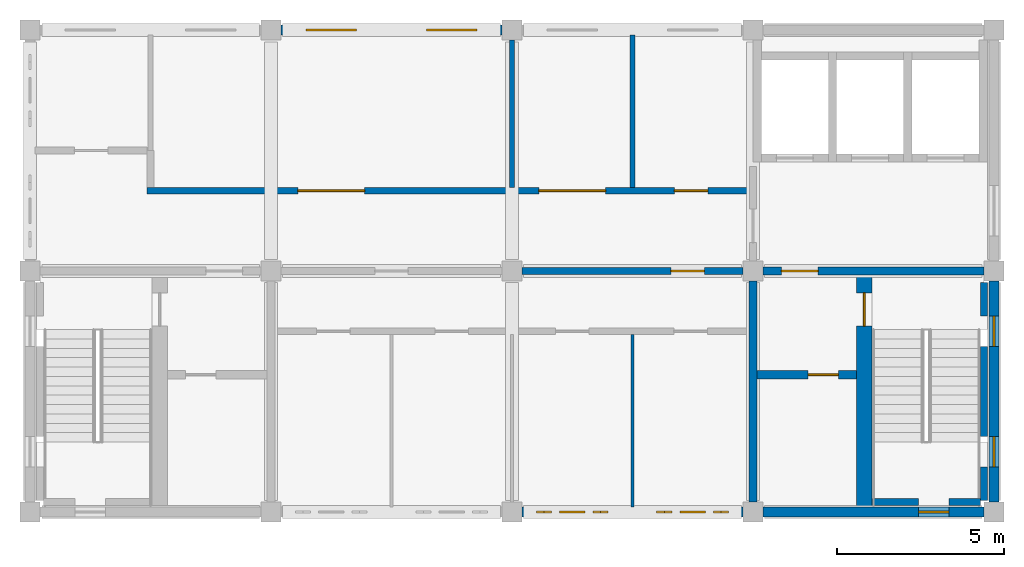
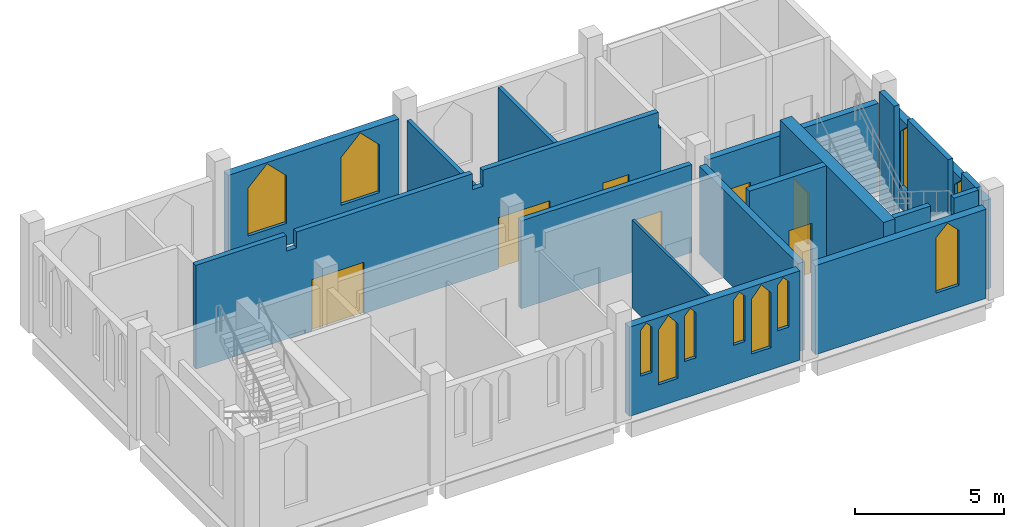
# One storey, part 3 of 5: 18 walls, 11 windows, 7 doors, 18 openings.
"""IFC4 building model written with IfcOpenShell, lengths in metres."""

from ifc_helpers import new_model, si_unit, direction, frame, frame_2d, origin, place, context, subcontext, project, spatial, polyline, rectangle, outline, extrude, material, layer, layer_set, type_object, element, fill, save


model = new_model("IFC4")

# Units and contexts
model_context = context("Model", 3, precision=1e-05, world=origin(), true_north=direction((0.0, 1.0)))
body_context = subcontext(model_context, "Body", "Model", "MODEL_VIEW")
ifc_project = project(units=[si_unit("LENGTHUNIT", "METRE"), si_unit("AREAUNIT", "SQUARE_METRE"), si_unit("VOLUMEUNIT", "CUBIC_METRE"), si_unit("PLANEANGLEUNIT", "RADIAN"), si_unit("MASSUNIT", "GRAM", prefix="KILO")], contexts=[model_context])

# Site, building, storey
site_placement = place(None, origin())
site = spatial("IfcSite", under=ifc_project, at=site_placement, CompositionType="ELEMENT")
building_placement = place(site_placement, origin())
building = spatial("IfcBuilding", under=site, at=building_placement, Name="Silangan Lancet Faculty of Sciences", CompositionType="ELEMENT")
storey_placement = place(building_placement, frame((0.0, 0.0, 72.300048828125)))
storey = spatial("IfcBuildingStorey", under=building, at=storey_placement, Name="L15", CompositionType="ELEMENT", Elevation=72.300048828125)

# Wall, openings, windows
ifc_material_1 = material(Name="Concrete C40/50 precast", Category="concrete")
ifc_layer_1 = layer(ifc_material_1, 0.300048828125)
ifc_layer_set_1 = layer_set([ifc_layer_1], Name="Concrete C40/50 precast")
wall_type_1 = type_object("IfcWallType", Name="EW1 Precast cladding wall", PredefinedType="STANDARD", material=ifc_layer_set_1)
wall_1_placement = place(storey_placement, frame((14.699951171875, 0.0, 0.0), z_axis=(0.0, 0.0, 1.0), x_axis=(1.0, 0.0, 0.0)))
wall_1 = element("IfcWall", 1, at=wall_1_placement, inside=storey, type_object=wall_type_1, Name="EW-L15-S-ST-02", PredefinedType="STANDARD", context=body_context, shape_type="SweptSolid", body=[
    extrude(rectangle(XDim=6.60009765625, YDim=0.300048828125, at=frame_2d((3.300048828125, 0.0))), origin(), (0.0, 0.0, 1.0), 3.64990234375),
])
opening_1_placement = place(wall_1_placement, frame((0.425048828125, 0.0, 1.5)))
opening_1 = element("IfcOpeningElement", 2, at=opening_1_placement, cuts=wall_1, Name="Opening W27", PredefinedType="OPENING", context=body_context, shape_type="SweptSolid", body=[
    extrude(outline(polyline([(0.0, 0.0), (0.449951171875, 0.0), (0.449951171875, 1.85009765625), (0.22509765625, 2.10009765625), (0.0, 1.85009765625), (0.0, 0.0)])), frame((0.0, 0.159912109375, 0.0), z_axis=(0.0, -1.0, 0.0), x_axis=(1.0, 0.0, 0.0)), (0.0, 0.0, 1.0), 0.320068359375),
])
opening_2_placement = place(wall_1_placement, frame((1.125, 0.0, 0.89990234375)))
opening_2 = element("IfcOpeningElement", 3, at=opening_2_placement, cuts=wall_1, Name="Opening W28", PredefinedType="OPENING", context=body_context, shape_type="SweptSolid", body=[
    extrude(outline(polyline([(0.0, 0.0), (0.75, 0.0), (0.75, 2.25), (0.375, 2.699951171875), (0.0, 2.25), (0.0, 0.0)])), frame((0.0, 0.159912109375, 0.0), z_axis=(0.0, -1.0, 0.0), x_axis=(1.0, 0.0, 0.0)), (0.0, 0.0, 1.0), 0.320068359375),
])
opening_3_placement = place(wall_1_placement, frame((2.125, 0.0, 1.5)))
opening_3 = element("IfcOpeningElement", 4, at=opening_3_placement, cuts=wall_1, Name="Opening W27", PredefinedType="OPENING", context=body_context, shape_type="SweptSolid", body=[
    extrude(outline(polyline([(0.0, 0.0), (0.449951171875, 0.0), (0.449951171875, 1.85009765625), (0.22509765625, 2.10009765625), (0.0, 1.85009765625), (0.0, 0.0)])), frame((0.0, 0.159912109375, 0.0), z_axis=(0.0, -1.0, 0.0), x_axis=(1.0, 0.0, 0.0)), (0.0, 0.0, 1.0), 0.320068359375),
])
opening_4_placement = place(wall_1_placement, frame((4.02490234375, 0.0, 1.5)))
opening_4 = element("IfcOpeningElement", 5, at=opening_4_placement, cuts=wall_1, Name="Opening W27", PredefinedType="OPENING", context=body_context, shape_type="SweptSolid", body=[
    extrude(outline(polyline([(0.0, 0.0), (0.449951171875, 0.0), (0.449951171875, 1.85009765625), (0.22509765625, 2.10009765625), (0.0, 1.85009765625), (0.0, 0.0)])), frame((0.0, 0.159912109375, 0.0), z_axis=(0.0, -1.0, 0.0), x_axis=(1.0, 0.0, 0.0)), (0.0, 0.0, 1.0), 0.320068359375),
])
opening_5_placement = place(wall_1_placement, frame((4.72509765625, 0.0, 0.89990234375)))
opening_5 = element("IfcOpeningElement", 6, at=opening_5_placement, cuts=wall_1, Name="Opening W28", PredefinedType="OPENING", context=body_context, shape_type="SweptSolid", body=[
    extrude(outline(polyline([(0.0, 0.0), (0.75, 0.0), (0.75, 2.25), (0.375, 2.699951171875), (0.0, 2.25), (0.0, 0.0)])), frame((0.0, 0.159912109375, 0.0), z_axis=(0.0, -1.0, 0.0), x_axis=(1.0, 0.0, 0.0)), (0.0, 0.0, 1.0), 0.320068359375),
])
opening_6_placement = place(wall_1_placement, frame((5.72509765625, 0.0, 1.5)))
opening_6 = element("IfcOpeningElement", 7, at=opening_6_placement, cuts=wall_1, Name="Opening W27", PredefinedType="OPENING", context=body_context, shape_type="SweptSolid", body=[
    extrude(outline(polyline([(0.0, 0.0), (0.449951171875, 0.0), (0.449951171875, 1.85009765625), (0.22509765625, 2.10009765625), (0.0, 1.85009765625), (0.0, 0.0)])), frame((0.0, 0.159912109375, 0.0), z_axis=(0.0, -1.0, 0.0), x_axis=(1.0, 0.0, 0.0)), (0.0, 0.0, 1.0), 0.320068359375),
])
ifc_material_2 = material(Name="Aluminium frame, laminated double glazing", Category="aluminium")
window_type_1 = type_object("IfcWindowType", Name="W27 Lancet window 450 x 2100 on a 1500 sill", PartitioningType="SINGLE_PANEL", PredefinedType="WINDOW", material=ifc_material_2)
window_1_placement = place(opening_1_placement, origin())
window_1 = element("IfcWindow", 8, at=window_1_placement, inside=storey, type_object=window_type_1, Name="WIN-L15-S-ST-02a1", OverallHeight=2.10009765625, OverallWidth=0.449951171875, PartitioningType="SINGLE_PANEL", PredefinedType="WINDOW", context=body_context, shape_type="SweptSolid", body=[
    extrude(outline(polyline([(0.0, 0.0), (0.449951171875, 0.0), (0.449951171875, 1.85009765625), (0.22509765625, 2.10009765625), (0.0, 1.85009765625), (0.0, 0.0)])), frame((0.0, 0.030029296875, 0.0), z_axis=(0.0, -1.0, 0.0), x_axis=(1.0, 0.0, 0.0)), (0.0, 0.0, 1.0), 0.06005859375),
])
fill(opening_1, window_1)
window_2_placement = place(opening_3_placement, origin())
window_2 = element("IfcWindow", 9, at=window_2_placement, inside=storey, type_object=window_type_1, Name="WIN-L15-S-ST-02a3", OverallHeight=2.10009765625, OverallWidth=0.449951171875, PartitioningType="SINGLE_PANEL", PredefinedType="WINDOW", context=body_context, shape_type="SweptSolid", body=[
    extrude(outline(polyline([(0.0, 0.0), (0.449951171875, 0.0), (0.449951171875, 1.85009765625), (0.22509765625, 2.10009765625), (0.0, 1.85009765625), (0.0, 0.0)])), frame((0.0, 0.030029296875, 0.0), z_axis=(0.0, -1.0, 0.0), x_axis=(1.0, 0.0, 0.0)), (0.0, 0.0, 1.0), 0.06005859375),
])
fill(opening_3, window_2)
window_3_placement = place(opening_4_placement, origin())
window_3 = element("IfcWindow", 10, at=window_3_placement, inside=storey, type_object=window_type_1, Name="WIN-L15-S-ST-02b1", OverallHeight=2.10009765625, OverallWidth=0.449951171875, PartitioningType="SINGLE_PANEL", PredefinedType="WINDOW", context=body_context, shape_type="SweptSolid", body=[
    extrude(outline(polyline([(0.0, 0.0), (0.449951171875, 0.0), (0.449951171875, 1.85009765625), (0.22509765625, 2.10009765625), (0.0, 1.85009765625), (0.0, 0.0)])), frame((0.0, 0.030029296875, 0.0), z_axis=(0.0, -1.0, 0.0), x_axis=(1.0, 0.0, 0.0)), (0.0, 0.0, 1.0), 0.06005859375),
])
fill(opening_4, window_3)
window_4_placement = place(opening_6_placement, origin())
window_4 = element("IfcWindow", 11, at=window_4_placement, inside=storey, type_object=window_type_1, Name="WIN-L15-S-ST-02b3", OverallHeight=2.10009765625, OverallWidth=0.449951171875, PartitioningType="SINGLE_PANEL", PredefinedType="WINDOW", context=body_context, shape_type="SweptSolid", body=[
    extrude(outline(polyline([(0.0, 0.0), (0.449951171875, 0.0), (0.449951171875, 1.85009765625), (0.22509765625, 2.10009765625), (0.0, 1.85009765625), (0.0, 0.0)])), frame((0.0, 0.030029296875, 0.0), z_axis=(0.0, -1.0, 0.0), x_axis=(1.0, 0.0, 0.0)), (0.0, 0.0, 1.0), 0.06005859375),
])
fill(opening_6, window_4)
ifc_material_3 = material(Name="Aluminium frame, laminated double glazing", Category="aluminium")
window_type_2 = type_object("IfcWindowType", Name="W28 Lancet window 750 x 2700", PartitioningType="SINGLE_PANEL", PredefinedType="WINDOW", material=ifc_material_3)
window_5_placement = place(opening_2_placement, origin())
window_5 = element("IfcWindow", 12, at=window_5_placement, inside=storey, type_object=window_type_2, Name="WIN-L15-S-ST-02a2", OverallHeight=2.699951171875, OverallWidth=0.75, PartitioningType="SINGLE_PANEL", PredefinedType="WINDOW", context=body_context, shape_type="SweptSolid", body=[
    extrude(outline(polyline([(0.0, 0.0), (0.75, 0.0), (0.75, 2.25), (0.375, 2.699951171875), (0.0, 2.25), (0.0, 0.0)])), frame((0.0, 0.030029296875, 0.0), z_axis=(0.0, -1.0, 0.0), x_axis=(1.0, 0.0, 0.0)), (0.0, 0.0, 1.0), 0.06005859375),
])
fill(opening_2, window_5)
window_6_placement = place(opening_5_placement, origin())
window_6 = element("IfcWindow", 13, at=window_6_placement, inside=storey, type_object=window_type_2, Name="WIN-L15-S-ST-02b2", OverallHeight=2.699951171875, OverallWidth=0.75, PartitioningType="SINGLE_PANEL", PredefinedType="WINDOW", context=body_context, shape_type="SweptSolid", body=[
    extrude(outline(polyline([(0.0, 0.0), (0.75, 0.0), (0.75, 2.25), (0.375, 2.699951171875), (0.0, 2.25), (0.0, 0.0)])), frame((0.0, 0.030029296875, 0.0), z_axis=(0.0, -1.0, 0.0), x_axis=(1.0, 0.0, 0.0)), (0.0, 0.0, 1.0), 0.06005859375),
])
fill(opening_5, window_6)

wall_2_placement = place(storey_placement, frame((14.10009765625, 14.39990234375, 0.0), z_axis=(0.0, 0.0, 1.0), x_axis=(-1.0, 0.0, 0.0)))
wall_2 = element("IfcWall", 14, at=wall_2_placement, inside=storey, type_object=wall_type_1, Name="EW-L15-N-ST-U-02", PredefinedType="STANDARD", context=body_context, shape_type="SweptSolid", body=[
    extrude(rectangle(XDim=6.60009765625, YDim=0.300048828125, at=frame_2d((3.300048828125, 0.0))), origin(), (0.0, 0.0, 1.0), 3.64990234375),
])
opening_7_placement = place(wall_2_placement, frame((0.75, 0.0, 0.89990234375)))
opening_7 = element("IfcOpeningElement", 15, at=opening_7_placement, cuts=wall_2, Name="Opening W23", PredefinedType="OPENING", context=body_context, shape_type="SweptSolid", body=[
    extrude(outline(polyline([(0.0, 0.0), (1.5, 0.0), (1.5, 1.949951171875), (0.75, 2.699951171875), (0.0, 1.949951171875), (0.0, 0.0)])), frame((0.0, 0.159912109375, 0.0), z_axis=(0.0, -1.0, 0.0), x_axis=(1.0, 0.0, 0.0)), (0.0, 0.0, 1.0), 0.320068359375),
])
opening_8_placement = place(wall_2_placement, frame((4.35009765625, 0.0, 0.89990234375)))
opening_8 = element("IfcOpeningElement", 16, at=opening_8_placement, cuts=wall_2, Name="Opening W23", PredefinedType="OPENING", context=body_context, shape_type="SweptSolid", body=[
    extrude(outline(polyline([(0.0, 0.0), (1.5, 0.0), (1.5, 1.949951171875), (0.75, 2.699951171875), (0.0, 1.949951171875), (0.0, 0.0)])), frame((0.0, 0.159912109375, 0.0), z_axis=(0.0, -1.0, 0.0), x_axis=(1.0, 0.0, 0.0)), (0.0, 0.0, 1.0), 0.320068359375),
])
ifc_material_4 = material(Name="Aluminium frame, laminated double glazing", Category="aluminium")
window_type_3 = type_object("IfcWindowType", Name="W23 Lancet window 1500 x 2700", PartitioningType="SINGLE_PANEL", PredefinedType="WINDOW", material=ifc_material_4)
window_7_placement = place(opening_7_placement, origin())
window_7 = element("IfcWindow", 17, at=window_7_placement, inside=storey, type_object=window_type_3, Name="WIN-L15-N-ST-U-02a", OverallHeight=2.699951171875, OverallWidth=1.5, PartitioningType="SINGLE_PANEL", PredefinedType="WINDOW", context=body_context, shape_type="SweptSolid", body=[
    extrude(outline(polyline([(0.0, 0.0), (1.5, 0.0), (1.5, 1.949951171875), (0.75, 2.699951171875), (0.0, 1.949951171875), (0.0, 0.0)])), frame((0.0, 0.030029296875, 0.0), z_axis=(0.0, -1.0, 0.0), x_axis=(1.0, 0.0, 0.0)), (0.0, 0.0, 1.0), 0.06005859375),
])
fill(opening_7, window_7)
window_8_placement = place(opening_8_placement, origin())
window_8 = element("IfcWindow", 18, at=window_8_placement, inside=storey, type_object=window_type_3, Name="WIN-L15-N-ST-U-02b", OverallHeight=2.699951171875, OverallWidth=1.5, PartitioningType="SINGLE_PANEL", PredefinedType="WINDOW", context=body_context, shape_type="SweptSolid", body=[
    extrude(outline(polyline([(0.0, 0.0), (1.5, 0.0), (1.5, 1.949951171875), (0.75, 2.699951171875), (0.0, 1.949951171875), (0.0, 0.0)])), frame((0.0, 0.030029296875, 0.0), z_axis=(0.0, -1.0, 0.0), x_axis=(1.0, 0.0, 0.0)), (0.0, 0.0, 1.0), 0.06005859375),
])
fill(opening_8, window_8)

# Wall, opening, window
ifc_material_5 = material(Name="Concrete C40/50 precast", Category="concrete")
ifc_layer_2 = layer(ifc_material_5, 0.300048828125)
ifc_layer_set_2 = layer_set([ifc_layer_2], Name="Concrete C40/50 precast")
wall_type_2 = type_object("IfcWallType", Name="EW2 Turret enclosure wall", PredefinedType="STANDARD", material=ifc_layer_set_2)
wall_3_placement = place(storey_placement, frame((21.89990234375, 0.0, 0.0), z_axis=(0.0, 0.0, 1.0), x_axis=(1.0, 0.0, 0.0)))
wall_3 = element("IfcWall", 19, at=wall_3_placement, inside=storey, type_object=wall_type_2, Name="EW-L15-S-ST-03", PredefinedType="STANDARD", context=body_context, shape_type="SweptSolid", body=[
    extrude(rectangle(XDim=6.60009765625, YDim=0.300048828125, at=frame_2d((3.300048828125, 0.0))), origin(), (0.0, 0.0, 1.0), 3.64990234375),
])
opening_9_placement = place(wall_3_placement, frame((4.64990234375, 0.0, 0.89990234375)))
opening_9 = element("IfcOpeningElement", 20, at=opening_9_placement, cuts=wall_3, Name="Opening W22", PredefinedType="OPENING", context=body_context, shape_type="SweptSolid", body=[
    extrude(outline(polyline([(0.0, 0.0), (0.89990234375, 0.0), (0.89990234375, 2.25), (0.449951171875, 2.699951171875), (0.0, 2.25), (0.0, 0.0)])), frame((0.0, 0.159912109375, 0.0), z_axis=(0.0, -1.0, 0.0), x_axis=(1.0, 0.0, 0.0)), (0.0, 0.0, 1.0), 0.320068359375),
])
ifc_material_6 = material(Name="Aluminium frame, laminated double glazing", Category="aluminium")
window_type_4 = type_object("IfcWindowType", Name="W22 Lancet window 900 x 2700", PartitioningType="SINGLE_PANEL", PredefinedType="WINDOW", material=ifc_material_6)
window_9_placement = place(opening_9_placement, origin())
window_9 = element("IfcWindow", 21, at=window_9_placement, inside=storey, type_object=window_type_4, Name="WIN-L15-S-ST-03b", OverallHeight=2.699951171875, OverallWidth=0.89990234375, PartitioningType="SINGLE_PANEL", PredefinedType="WINDOW", context=body_context, shape_type="SweptSolid", body=[
    extrude(outline(polyline([(0.0, 0.0), (0.89990234375, 0.0), (0.89990234375, 2.25), (0.449951171875, 2.699951171875), (0.0, 2.25), (0.0, 0.0)])), frame((0.0, 0.030029296875, 0.0), z_axis=(0.0, -1.0, 0.0), x_axis=(1.0, 0.0, 0.0)), (0.0, 0.0, 1.0), 0.06005859375),
])
fill(opening_9, window_9)

# Wall, openings, windows
wall_4_placement = place(storey_placement, frame((28.800048828125, 0.300048828125, 0.0), z_axis=(0.0, 0.0, 1.0), x_axis=(0.0, 1.0, 0.0)))
wall_4 = element("IfcWall", 22, at=wall_4_placement, inside=storey, type_object=wall_type_2, Name="EW-L15-E-ST-U-00", PredefinedType="STANDARD", context=body_context, shape_type="SweptSolid", body=[
    extrude(rectangle(XDim=6.599853515625, YDim=0.300048828125, at=frame_2d((3.2998046875, 0.0))), origin(), (0.0, 0.0, 1.0), 3.64990234375),
])
opening_10_placement = place(wall_4_placement, frame((1.050048828125, 0.0, 0.89990234375)))
opening_10 = element("IfcOpeningElement", 23, at=opening_10_placement, cuts=wall_4, Name="Opening W22", PredefinedType="OPENING", context=body_context, shape_type="SweptSolid", body=[
    extrude(outline(polyline([(0.0, 0.0), (0.89990234375, 0.0), (0.89990234375, 2.25), (0.449951171875, 2.699951171875), (0.0, 2.25), (0.0, 0.0)])), frame((0.0, 0.159912109375, 0.0), z_axis=(0.0, -1.0, 0.0), x_axis=(1.0, 0.0, 0.0)), (0.0, 0.0, 1.0), 0.320068359375),
])
opening_11_placement = place(wall_4_placement, frame((4.64990234375, 0.0, 0.89990234375)))
opening_11 = element("IfcOpeningElement", 24, at=opening_11_placement, cuts=wall_4, Name="Opening W22", PredefinedType="OPENING", context=body_context, shape_type="SweptSolid", body=[
    extrude(outline(polyline([(0.0, 0.0), (0.89990234375, 0.0), (0.89990234375, 2.25), (0.449951171875, 2.699951171875), (0.0, 2.25), (0.0, 0.0)])), frame((0.0, 0.159912109375, 0.0), z_axis=(0.0, -1.0, 0.0), x_axis=(1.0, 0.0, 0.0)), (0.0, 0.0, 1.0), 0.320068359375),
])
window_10_placement = place(opening_10_placement, origin())
window_10 = element("IfcWindow", 25, at=window_10_placement, inside=storey, type_object=window_type_4, Name="WIN-L15-E-ST-U-00a", OverallHeight=2.699951171875, OverallWidth=0.89990234375, PartitioningType="SINGLE_PANEL", PredefinedType="WINDOW", context=body_context, shape_type="SweptSolid", body=[
    extrude(outline(polyline([(0.0, 0.0), (0.89990234375, 0.0), (0.89990234375, 2.25), (0.449951171875, 2.699951171875), (0.0, 2.25), (0.0, 0.0)])), frame((0.0, 0.030029296875, 0.0), z_axis=(0.0, -1.0, 0.0), x_axis=(1.0, 0.0, 0.0)), (0.0, 0.0, 1.0), 0.06005859375),
])
fill(opening_10, window_10)
window_11_placement = place(opening_11_placement, origin())
window_11 = element("IfcWindow", 26, at=window_11_placement, inside=storey, type_object=window_type_4, Name="WIN-L15-E-ST-U-00b", OverallHeight=2.699951171875, OverallWidth=0.89990234375, PartitioningType="SINGLE_PANEL", PredefinedType="WINDOW", context=body_context, shape_type="SweptSolid", body=[
    extrude(outline(polyline([(0.0, 0.0), (0.89990234375, 0.0), (0.89990234375, 2.25), (0.449951171875, 2.699951171875), (0.0, 2.25), (0.0, 0.0)])), frame((0.0, 0.030029296875, 0.0), z_axis=(0.0, -1.0, 0.0), x_axis=(1.0, 0.0, 0.0)), (0.0, 0.0, 1.0), 0.06005859375),
])
fill(opening_11, window_11)

# Wall, opening, door
ifc_material_7 = material(Name="Hollow block masonry fm 7 MPa", Category="masonry")
ifc_layer_3 = layer(ifc_material_7, 0.199951171875)
ifc_layer_set_3 = layer_set([ifc_layer_3], Name="Hollow block masonry fm 7 MPa")
wall_type_3 = type_object("IfcWallType", Name="Interior wall PW1 Corridor wall CHB 200", PredefinedType="PARTITIONING", material=ifc_layer_set_3)
wall_5_placement = place(storey_placement, frame((14.699951171875, 7.199951171875, 0.0), z_axis=(0.0, 0.0, 1.0), x_axis=(1.0, 0.0, 0.0)))
wall_5 = element("IfcWall", 27, at=wall_5_placement, inside=storey, type_object=wall_type_3, Name="Corridor wall CHB 200", PredefinedType="PARTITIONING", context=body_context, shape_type="SweptSolid", body=[
    extrude(rectangle(XDim=6.60009765625, YDim=0.199951171875, at=frame_2d((3.300048828125, 0.0))), origin(), (0.0, 0.0, 1.0), 3.599853515625),
])
opening_12_placement = place(wall_5_placement, frame((4.449951171875, 0.0, 0.0)))
opening_12 = element("IfcOpeningElement", 28, at=opening_12_placement, cuts=wall_5, Name="Opening L15-003", PredefinedType="OPENING", context=body_context, shape_type="SweptSolid", body=[
    extrude(rectangle(XDim=1.0, YDim=2.10009765625, at=frame_2d((0.5, 1.050048828125))), frame((0.0, 0.10986328125, 0.0), z_axis=(0.0, -1.0, 0.0), x_axis=(1.0, 0.0, 0.0)), (0.0, 0.0, 1.0), 0.219970703125),
])
ifc_material_8 = material(Name="Steel fire door set", Category="steel")
door_type_1 = type_object("IfcDoorType", Name="Door D1 Single leaf fire door 1000 x 2100", OperationType="SINGLE_SWING_LEFT", PredefinedType="DOOR", material=ifc_material_8)
door_1_placement = place(opening_12_placement, frame((1.0, 0.0, 0.0), z_axis=(0.0, 0.0, 1.0), x_axis=(-1.0, 0.0, 0.0)))
door_1 = element("IfcDoor", 29, at=door_1_placement, inside=storey, type_object=door_type_1, Name="Single leaf fire door 1000 x 2100", OperationType="SINGLE_SWING_LEFT", OverallHeight=2.10009765625, OverallWidth=1.0, PredefinedType="DOOR", context=body_context, shape_type="SweptSolid", body=[
    extrude(rectangle(XDim=1.0, YDim=2.10009765625, at=frame_2d((0.5, 1.050048828125))), frame((0.0, 0.025146484375, 0.0), z_axis=(0.0, -1.0, 0.0), x_axis=(1.0, 0.0, 0.0)), (0.0, 0.0, 1.0), 0.050048828125),
])
fill(opening_12, door_1)

# Wall, openings, doors
wall_6_placement = place(storey_placement, frame((3.5, 9.60009765625, 0.0), z_axis=(0.0, 0.0, 1.0), x_axis=(1.0, 0.0, 0.0)))
wall_6 = element("IfcWall", 30, at=wall_6_placement, inside=storey, type_object=wall_type_3, Name="Corridor wall CHB 200", PredefinedType="PARTITIONING", context=body_context, shape_type="SweptSolid", body=[
    extrude(outline(polyline([(0.0, 0.0), (18.0, 0.0), (18.0, 3.599853515625), (17.89990234375, 3.599853515625), (17.89990234375, 4.25), (11.10009765625, 4.25), (11.10009765625, 3.599853515625), (10.699951171875, 3.599853515625), (10.699951171875, 4.25), (3.89990234375, 4.25), (3.89990234375, 3.599853515625), (3.5, 3.599853515625), (3.5, 4.25), (0.0, 4.25), (0.0, 0.0)])), frame((0.0, 0.10009765625, 0.0), z_axis=(0.0, -1.0, 0.0), x_axis=(1.0, 0.0, 0.0)), (0.0, 0.0, 1.0), 0.199951171875),
])
opening_13_placement = place(wall_6_placement, frame((15.75, 0.0, 0.0)))
opening_13 = element("IfcOpeningElement", 31, at=opening_13_placement, cuts=wall_6, Name="Opening L15-008", PredefinedType="OPENING", context=body_context, shape_type="SweptSolid", body=[
    extrude(rectangle(XDim=1.0, YDim=2.10009765625, at=frame_2d((0.5, 1.050048828125))), frame((0.0, 0.10986328125, 0.0), z_axis=(0.0, -1.0, 0.0), x_axis=(1.0, 0.0, 0.0)), (0.0, 0.0, 1.0), 0.219970703125),
])
opening_14_placement = place(wall_6_placement, frame((4.5, 0.0, 0.0)))
opening_14 = element("IfcOpeningElement", 32, at=opening_14_placement, cuts=wall_6, Name="Opening L15-010", PredefinedType="OPENING", context=body_context, shape_type="SweptSolid", body=[
    extrude(rectangle(XDim=2.0, YDim=2.10009765625, at=frame_2d((1.0, 1.050048828125))), frame((0.0, 0.10986328125, 0.0), z_axis=(0.0, -1.0, 0.0), x_axis=(1.0, 0.0, 0.0)), (0.0, 0.0, 1.0), 0.219970703125),
])
opening_15_placement = place(wall_6_placement, frame((11.699951171875, 0.0, 0.0)))
opening_15 = element("IfcOpeningElement", 33, at=opening_15_placement, cuts=wall_6, Name="Opening L15-011", PredefinedType="OPENING", context=body_context, shape_type="SweptSolid", body=[
    extrude(rectangle(XDim=2.0, YDim=2.10009765625, at=frame_2d((1.0, 1.050048828125))), frame((0.0, 0.10986328125, 0.0), z_axis=(0.0, -1.0, 0.0), x_axis=(1.0, 0.0, 0.0)), (0.0, 0.0, 1.0), 0.219970703125),
])
door_2_placement = place(opening_13_placement, origin())
door_2 = element("IfcDoor", 34, at=door_2_placement, inside=storey, type_object=door_type_1, Name="Single leaf fire door 1000 x 2100", OperationType="SINGLE_SWING_LEFT", OverallHeight=2.10009765625, OverallWidth=1.0, PredefinedType="DOOR", context=body_context, shape_type="SweptSolid", body=[
    extrude(rectangle(XDim=1.0, YDim=2.10009765625, at=frame_2d((0.5, 1.050048828125))), frame((0.0, 0.02490234375, 0.0), z_axis=(0.0, -1.0, 0.0), x_axis=(1.0, 0.0, 0.0)), (0.0, 0.0, 1.0), 0.050048828125),
])
fill(opening_13, door_2)
ifc_material_9 = material(Name="Steel fire door set", Category="steel")
door_type_2 = type_object("IfcDoorType", Name="Door D4 Double leaf fire door 2000 x 2100", OperationType="DOUBLE_DOOR_SINGLE_SWING", PredefinedType="DOOR", material=ifc_material_9)
door_3_placement = place(opening_14_placement, origin())
door_3 = element("IfcDoor", 35, at=door_3_placement, inside=storey, type_object=door_type_2, Name="Double leaf fire door 2000 x 2100", OperationType="DOUBLE_DOOR_SINGLE_SWING", OverallHeight=2.10009765625, OverallWidth=2.0, PredefinedType="DOOR", context=body_context, shape_type="SweptSolid", body=[
    extrude(rectangle(XDim=2.0, YDim=2.10009765625, at=frame_2d((1.0, 1.050048828125))), frame((0.0, 0.02490234375, 0.0), z_axis=(0.0, -1.0, 0.0), x_axis=(1.0, 0.0, 0.0)), (0.0, 0.0, 1.0), 0.050048828125),
])
fill(opening_14, door_3)
door_4_placement = place(opening_15_placement, origin())
door_4 = element("IfcDoor", 36, at=door_4_placement, inside=storey, type_object=door_type_2, Name="Double leaf fire door 2000 x 2100", OperationType="DOUBLE_DOOR_SINGLE_SWING", OverallHeight=2.10009765625, OverallWidth=2.0, PredefinedType="DOOR", context=body_context, shape_type="SweptSolid", body=[
    extrude(rectangle(XDim=2.0, YDim=2.10009765625, at=frame_2d((1.0, 1.050048828125))), frame((0.0, 0.02490234375, 0.0), z_axis=(0.0, -1.0, 0.0), x_axis=(1.0, 0.0, 0.0)), (0.0, 0.0, 1.0), 0.050048828125),
])
fill(opening_15, door_4)

# Walls
ifc_material_10 = material(Name="Hollow block masonry fm 7 MPa", Category="masonry")
ifc_layer_4 = layer(ifc_material_10, 0.14990234375)
ifc_layer_set_4 = layer_set([ifc_layer_4], Name="Hollow block masonry fm 7 MPa")
wall_type_4 = type_object("IfcWallType", Name="Interior wall PW3 Partition CHB 150", PredefinedType="PARTITIONING", material=ifc_layer_set_4)
wall_7_placement = place(storey_placement, frame((14.39990234375, 9.699951171875, 0.0), z_axis=(0.0, 0.0, 1.0), x_axis=(0.0, 1.0, 0.0)))
element("IfcWall", 37, at=wall_7_placement, inside=storey, type_object=wall_type_4, Name="Partition CHB 150", PredefinedType="PARTITIONING", context=body_context, shape_type="SweptSolid", body=[
    extrude(rectangle(XDim=4.400146484375, YDim=0.14990234375, at=frame_2d((2.2001953125, 0.0))), origin(), (0.0, 0.0, 1.0), 3.599853515625),
])
wall_8_placement = place(storey_placement, frame((18.0, 9.699951171875, 0.0), z_axis=(0.0, 0.0, 1.0), x_axis=(0.0, 1.0, 0.0)))
element("IfcWall", 38, at=wall_8_placement, inside=storey, type_object=wall_type_4, Name="Partition CHB 150", PredefinedType="PARTITIONING", context=body_context, shape_type="SweptSolid", body=[
    extrude(rectangle(XDim=4.550048828125, YDim=0.14990234375, at=frame_2d((2.27490234375, 0.0))), origin(), (0.0, 0.0, 1.0), 3.599853515625),
])
ifc_material_11 = material(Name="Hollow block masonry fm 7 MPa", Category="masonry")
ifc_layer_5 = layer(ifc_material_11, 0.10009765625)
ifc_layer_set_5 = layer_set([ifc_layer_5], Name="Hollow block masonry fm 7 MPa")
wall_type_5 = type_object("IfcWallType", Name="Interior wall PW8 WC partition CHB 100", PredefinedType="PARTITIONING", material=ifc_layer_set_5)
wall_9_placement = place(storey_placement, frame((18.0, 0.14990234375, 0.0), z_axis=(0.0, 0.0, 1.0), x_axis=(0.0, 1.0, 0.0)))
element("IfcWall", 39, at=wall_9_placement, inside=storey, type_object=wall_type_5, Name="WC partition CHB 100", PredefinedType="PARTITIONING", context=body_context, shape_type="SweptSolid", body=[
    extrude(rectangle(XDim=5.150146484375, YDim=0.10009765625, at=frame_2d((2.5751953125, 0.0))), origin(), (0.0, 0.0, 1.0), 3.599853515625),
])

# Wall, opening, door
ifc_material_12 = material(Name="Concrete C40/50", Category="concrete")
ifc_layer_6 = layer(ifc_material_12, 0.449951171875)
ifc_layer_set_6 = layer_set([ifc_layer_6], Name="Concrete C40/50")
wall_type_6 = type_object("IfcWallType", Name="TURRET CORE WALL RC 450", PredefinedType="SHEAR", material=ifc_layer_set_6)
wall_10_placement = place(storey_placement, frame((24.925048828125, 0.14990234375, 0.0), z_axis=(0.0, 0.0, 1.0), x_axis=(0.0, 1.0, 0.0)))
wall_10 = element("IfcWall", 40, at=wall_10_placement, inside=storey, type_object=wall_type_6, Name="WALL-L15-ST-B-WELL", PredefinedType="SHEAR", context=body_context, shape_type="SweptSolid", body=[
    extrude(rectangle(XDim=6.925048828125, YDim=0.449951171875, at=frame_2d((3.46240234375, 0.0))), origin(), (0.0, 0.0, 1.0), 4.25),
])
opening_16_placement = place(wall_10_placement, frame((5.39990234375, 0.0, 0.0)))
opening_16 = element("IfcOpeningElement", 41, at=opening_16_placement, cuts=wall_10, Name="Opening L15-704", PredefinedType="OPENING", context=body_context, shape_type="SweptSolid", body=[
    extrude(rectangle(XDim=1.0, YDim=2.10009765625, at=frame_2d((0.5, 1.050048828125))), frame((0.0, 0.23486328125, 0.0), z_axis=(0.0, -1.0, 0.0), x_axis=(1.0, 0.0, 0.0)), (0.0, 0.0, 1.0), 0.469970703125),
])
ifc_material_13 = material(Name="Steel fire door set", Category="steel")
door_type_3 = type_object("IfcDoorType", Name="D71 Stair enclosure door 1000x2100", OperationType="SINGLE_SWING_LEFT", PredefinedType="DOOR", material=ifc_material_13)
door_5_placement = place(opening_16_placement, frame((1.0, 0.0, 0.0), z_axis=(0.0, 0.0, 1.0), x_axis=(-1.0, 0.0, 0.0)))
door_5 = element("IfcDoor", 42, at=door_5_placement, inside=storey, type_object=door_type_3, Name="Stair enclosure door ST-B L15", OperationType="SINGLE_SWING_LEFT", OverallHeight=2.10009765625, OverallWidth=1.0, PredefinedType="DOOR", context=body_context, shape_type="SweptSolid", body=[
    extrude(rectangle(XDim=1.0, YDim=2.10009765625, at=frame_2d((0.5, 1.050048828125))), frame((0.0, 0.025146484375, 0.0), z_axis=(0.0, -1.0, 0.0), x_axis=(1.0, 0.0, 0.0)), (0.0, 0.0, 1.0), 0.050048828125),
])
fill(opening_16, door_5)

# Walls
ifc_material_14 = material(Name="Concrete C40/50", Category="concrete")
ifc_layer_7 = layer(ifc_material_14, 0.199951171875)
ifc_layer_set_7 = layer_set([ifc_layer_7], Name="Concrete C40/50")
wall_type_7 = type_object("IfcWallType", Name="TURRET LINING WALL RC 200", PredefinedType="SHEAR", material=ifc_layer_set_7)
wall_11_placement = place(storey_placement, frame((28.5, 0.35009765625, -0.25), z_axis=(0.0, 0.0, 1.0), x_axis=(0.0, 1.0, 0.0)))
element("IfcWall", 43, at=wall_11_placement, inside=storey, type_object=wall_type_7, Name="WALL-L15-ST-B-WL", PredefinedType="SHEAR", context=body_context, shape_type="SweptSolid", body=[
    extrude(rectangle(XDim=1.0, YDim=0.199951171875, at=frame_2d((0.5, 0.0))), origin(), (0.0, 0.0, 1.0), 4.5),
])
wall_12_placement = place(storey_placement, frame((28.5, 2.25, -0.25), z_axis=(0.0, 0.0, 1.0), x_axis=(0.0, 1.0, 0.0)))
element("IfcWall", 44, at=wall_12_placement, inside=storey, type_object=wall_type_7, Name="WALL-L15-ST-B-WL-2", PredefinedType="SHEAR", context=body_context, shape_type="SweptSolid", body=[
    extrude(rectangle(XDim=2.699951171875, YDim=0.199951171875, at=frame_2d((1.35009765625, 0.0))), origin(), (0.0, 0.0, 1.0), 4.5),
])
wall_13_placement = place(storey_placement, frame((28.5, 5.85009765625, -0.25), z_axis=(0.0, 0.0, 1.0), x_axis=(0.0, 1.0, 0.0)))
element("IfcWall", 45, at=wall_13_placement, inside=storey, type_object=wall_type_7, Name="WALL-L15-ST-B-WL-3", PredefinedType="SHEAR", context=body_context, shape_type="SweptSolid", body=[
    extrude(rectangle(XDim=1.0, YDim=0.199951171875, at=frame_2d((0.5, 0.0))), origin(), (0.0, 0.0, 1.0), 4.5),
])
wall_14_placement = place(storey_placement, frame((25.14990234375, 0.300048828125, -0.25), z_axis=(0.0, 0.0, 1.0), x_axis=(1.0, 0.0, 0.0)))
element("IfcWall", 46, at=wall_14_placement, inside=storey, type_object=wall_type_7, Name="WALL-L15-ST-B-WLD", PredefinedType="SHEAR", context=body_context, shape_type="SweptSolid", body=[
    extrude(rectangle(XDim=1.400146484375, YDim=0.199951171875, at=frame_2d((0.7001953125, 0.0))), origin(), (0.0, 0.0, 1.0), 4.5),
])
wall_15_placement = place(storey_placement, frame((27.449951171875, 0.300048828125, -0.25), z_axis=(0.0, 0.0, 1.0), x_axis=(1.0, 0.0, 0.0)))
element("IfcWall", 47, at=wall_15_placement, inside=storey, type_object=wall_type_7, Name="WALL-L15-ST-B-WLD-2", PredefinedType="SHEAR", context=body_context, shape_type="SweptSolid", body=[
    extrude(rectangle(XDim=0.949951171875, YDim=0.199951171875, at=frame_2d((0.47509765625, 0.0))), origin(), (0.0, 0.0, 1.0), 4.5),
])

# Wall, opening, door
ifc_material_15 = material(Name="Concrete C40/50", Category="concrete")
ifc_layer_8 = layer(ifc_material_15, 0.25)
ifc_layer_set_8 = layer_set([ifc_layer_8], Name="Concrete C40/50")
wall_type_8 = type_object("IfcWallType", Name="TURRET WALL RC 250", PredefinedType="SHEAR", material=ifc_layer_set_8)
wall_16_placement = place(storey_placement, frame((21.89990234375, 7.199951171875, 0.0), z_axis=(0.0, 0.0, 1.0), x_axis=(1.0, 0.0, 0.0)))
wall_16 = element("IfcWall", 48, at=wall_16_placement, inside=storey, type_object=wall_type_8, Name="WALL-L15-ST-B-V", PredefinedType="SHEAR", context=body_context, shape_type="SweptSolid", body=[
    extrude(rectangle(XDim=6.60009765625, YDim=0.25, at=frame_2d((3.300048828125, 0.0))), origin(), (0.0, 0.0, 1.0), 3.599853515625),
])
opening_17_placement = place(wall_16_placement, frame((0.550048828125, 0.0, 0.0)))
opening_17 = element("IfcOpeningElement", 49, at=opening_17_placement, cuts=wall_16, Name="Opening L15-705", PredefinedType="OPENING", context=body_context, shape_type="SweptSolid", body=[
    extrude(rectangle(XDim=1.10009765625, YDim=2.10009765625, at=frame_2d((0.550048828125, 1.050048828125))), frame((0.0, 0.135009765625, 0.0), z_axis=(0.0, -1.0, 0.0), x_axis=(1.0, 0.0, 0.0)), (0.0, 0.0, 1.0), 0.27001953125),
])
ifc_material_16 = material(Name="Steel fire door set", Category="steel")
door_type_4 = type_object("IfcDoorType", Name="D70 Stair vestibule door 1100x2100", OperationType="SINGLE_SWING_LEFT", PredefinedType="DOOR", material=ifc_material_16)
door_6_placement = place(opening_17_placement, frame((1.10009765625, 0.0, 0.0), z_axis=(0.0, 0.0, 1.0), x_axis=(-1.0, 0.0, 0.0)))
door_6 = element("IfcDoor", 50, at=door_6_placement, inside=storey, type_object=door_type_4, Name="Stair vestibule door ST-B L15", OperationType="SINGLE_SWING_RIGHT", OverallHeight=2.10009765625, OverallWidth=1.10009765625, PredefinedType="DOOR", context=body_context, shape_type="SweptSolid", body=[
    extrude(rectangle(XDim=1.10009765625, YDim=2.10009765625, at=frame_2d((0.550048828125, 1.050048828125))), frame((0.0, 0.025146484375, 0.0), z_axis=(0.0, -1.0, 0.0), x_axis=(1.0, 0.0, 0.0)), (0.0, 0.0, 1.0), 0.050048828125),
])
fill(opening_17, door_6)

# Wall
wall_17_placement = place(storey_placement, frame((21.60009765625, 0.300048828125, 0.0), z_axis=(0.0, 0.0, 1.0), x_axis=(0.0, 1.0, 0.0)))
element("IfcWall", 51, at=wall_17_placement, inside=storey, type_object=wall_type_8, Name="WALL-L15-ST-B-O", PredefinedType="SHEAR", context=body_context, shape_type="SweptSolid", body=[
    extrude(rectangle(XDim=6.599853515625, YDim=0.25, at=frame_2d((3.2998046875, 0.0))), origin(), (0.0, 0.0, 1.0), 3.599853515625),
])

# Wall, opening, door
wall_18_placement = place(storey_placement, frame((21.72509765625, 4.10009765625, 0.0), z_axis=(0.0, 0.0, 1.0), x_axis=(1.0, 0.0, 0.0)))
wall_18 = element("IfcWall", 52, at=wall_18_placement, inside=storey, type_object=wall_type_8, Name="WALL-L15-ST-B-RISER", PredefinedType="SHEAR", context=body_context, shape_type="SweptSolid", body=[
    extrude(rectangle(XDim=2.974853515625, YDim=0.25, at=frame_2d((1.4873046875, 0.0))), origin(), (0.0, 0.0, 1.0), 4.25),
])
opening_18_placement = place(wall_18_placement, frame((1.52490234375, 0.0, 0.0)))
opening_18 = element("IfcOpeningElement", 53, at=opening_18_placement, cuts=wall_18, Name="Opening L15-706", PredefinedType="OPENING", context=body_context, shape_type="SweptSolid", body=[
    extrude(rectangle(XDim=0.89990234375, YDim=2.10009765625, at=frame_2d((0.449951171875, 1.050048828125))), frame((0.0, 0.135009765625, 0.0), z_axis=(0.0, -1.0, 0.0), x_axis=(1.0, 0.0, 0.0)), (0.0, 0.0, 1.0), 0.27001953125),
])
ifc_material_17 = material(Name="Steel fire door set", Category="steel")
door_type_5 = type_object("IfcDoorType", Name="D72 Riser access door 900x2100", OperationType="SINGLE_SWING_LEFT", PredefinedType="DOOR", material=ifc_material_17)
door_7_placement = place(opening_18_placement, frame((0.89990234375, 0.0, 0.0), z_axis=(0.0, 0.0, 1.0), x_axis=(-1.0, 0.0, 0.0)))
door_7 = element("IfcDoor", 54, at=door_7_placement, inside=storey, type_object=door_type_5, Name="Riser access door ST-B L15", OperationType="SINGLE_SWING_RIGHT", OverallHeight=2.10009765625, OverallWidth=0.89990234375, PredefinedType="DOOR", context=body_context, shape_type="SweptSolid", body=[
    extrude(rectangle(XDim=0.89990234375, YDim=2.10009765625, at=frame_2d((0.449951171875, 1.050048828125))), frame((0.0, 0.025146484375, 0.0), z_axis=(0.0, -1.0, 0.0), x_axis=(1.0, 0.0, 0.0)), (0.0, 0.0, 1.0), 0.050048828125),
])
fill(opening_18, door_7)

save(model, "model.ifc")
